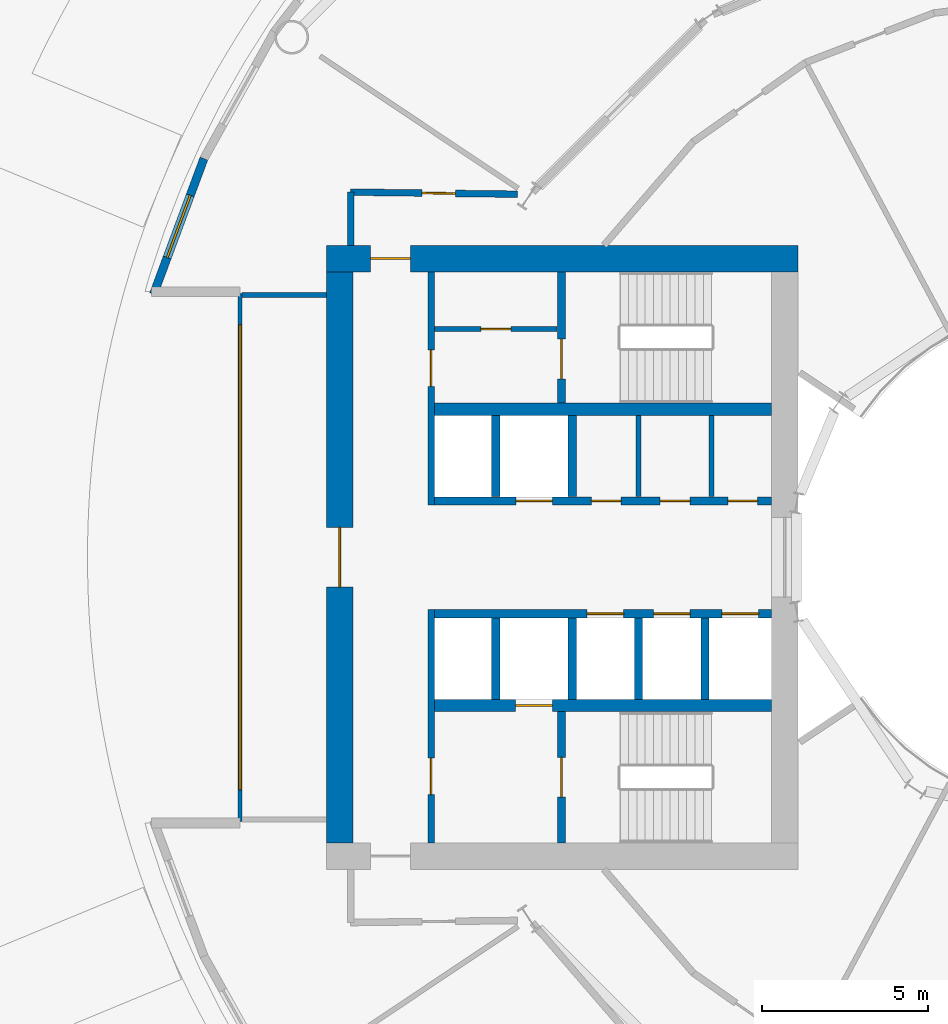
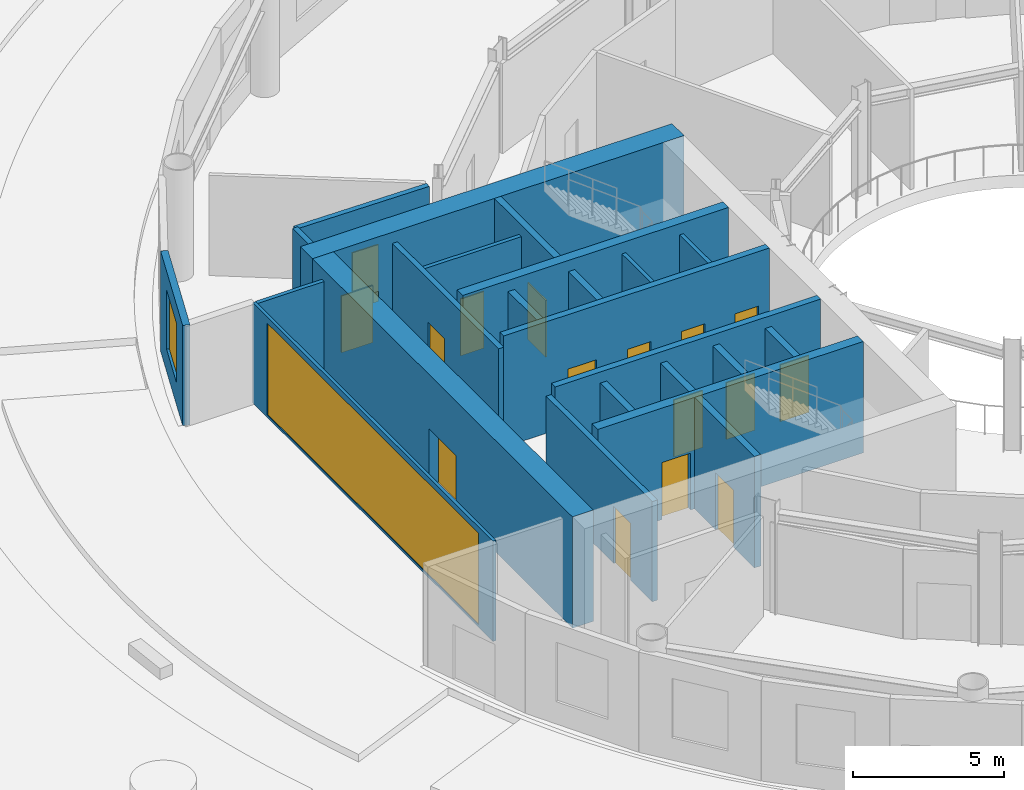
# One storey, part 12 of 19: 24 walls, 16 doors, 2 windows, 18 openings.
"""IFC4 building model written with IfcOpenShell, lengths in metres."""

from ifc_helpers import new_model, si_unit, direction, frame, frame_2d, origin, place, context, subcontext, project, spatial, rectangle, extrude, material, layer, layer_set, type_object, element, fill, save


model = new_model("IFC4")

# Units and contexts
model_context = context("Model", 3, precision=1e-05, world=origin(), true_north=direction((0.0, 1.0)))
body_context = subcontext(model_context, "Body", "Model", "MODEL_VIEW")
ifc_project = project(units=[si_unit("LENGTHUNIT", "METRE"), si_unit("AREAUNIT", "SQUARE_METRE"), si_unit("VOLUMEUNIT", "CUBIC_METRE"), si_unit("PLANEANGLEUNIT", "RADIAN"), si_unit("MASSUNIT", "GRAM", prefix="KILO")], contexts=[model_context])

# Site, building, storey
site_placement = place(None, origin())
site = spatial("IfcSite", under=ifc_project, at=site_placement, CompositionType="ELEMENT")
building_placement = place(site_placement, origin())
building = spatial("IfcBuilding", under=site, at=building_placement, Name="Maasbend Ring Residences", CompositionType="ELEMENT")
storey_placement = place(building_placement, frame((0.0, 0.0, 9.60009765625)))
storey = spatial("IfcBuildingStorey", under=building, at=storey_placement, Name="L02", CompositionType="ELEMENT", Elevation=9.60009765625)

# Wall, openings, doors
ifc_material_1 = material(Name="Concrete C70/85", Category="concrete")
ifc_layer_1 = layer(ifc_material_1, 0.25)
ifc_layer_set_1 = layer_set([ifc_layer_1], Name="Concrete C70/85")
wall_type_1 = type_object("IfcWallType", Name="CORE WALL 250 C70/85", PredefinedType="SHEAR", material=ifc_layer_set_1)
wall_1_placement = place(storey_placement, frame((-9.0, -1.699951171875, 0.0), z_axis=(0.0, 0.0, 1.0), x_axis=(-1.0, 0.0, 0.0)))
wall_1 = element("IfcWall", 1, at=wall_1_placement, inside=storey, type_object=wall_type_1, Name="L02 core W wall SPN", PredefinedType="SHEAR", context=body_context, shape_type="SweptSolid", body=[
    extrude(rectangle(XDim=10.14990234375, YDim=0.25, at=frame_2d((5.074951171875, 0.0))), origin(), (0.0, 0.0, 1.0), 4.5),
])
opening_1_placement = place(wall_1_placement, frame((0.387451171875, 0.0, 0.0)))
opening_1 = element("IfcOpeningElement", 2, at=opening_1_placement, cuts=wall_1, Name="Opening LD-W0201", PredefinedType="OPENING", context=body_context, shape_type="SweptSolid", body=[
    extrude(rectangle(XDim=1.10009765625, YDim=2.300048828125, at=frame_2d((0.550048828125, 1.14990234375))), frame((0.0, 0.135009765625, 0.0), z_axis=(0.0, -1.0, 0.0), x_axis=(1.0, 0.0, 0.0)), (0.0, 0.0, 1.0), 0.27001953125),
])
opening_2_placement = place(wall_1_placement, frame((2.449951171875, 0.0, 0.0)))
opening_2 = element("IfcOpeningElement", 3, at=opening_2_placement, cuts=wall_1, Name="Opening LD-W0202", PredefinedType="OPENING", context=body_context, shape_type="SweptSolid", body=[
    extrude(rectangle(XDim=1.10009765625, YDim=2.300048828125, at=frame_2d((0.550048828125, 1.14990234375))), frame((0.0, 0.135009765625, 0.0), z_axis=(0.0, -1.0, 0.0), x_axis=(1.0, 0.0, 0.0)), (0.0, 0.0, 1.0), 0.27001953125),
])
opening_3_placement = place(wall_1_placement, frame((4.449951171875, 0.0, 0.0)))
opening_3 = element("IfcOpeningElement", 4, at=opening_3_placement, cuts=wall_1, Name="Opening LD-W0203", PredefinedType="OPENING", context=body_context, shape_type="SweptSolid", body=[
    extrude(rectangle(XDim=1.10009765625, YDim=2.300048828125, at=frame_2d((0.550048828125, 1.14990234375))), frame((0.0, 0.135009765625, 0.0), z_axis=(0.0, -1.0, 0.0), x_axis=(1.0, 0.0, 0.0)), (0.0, 0.0, 1.0), 0.27001953125),
])
ifc_material_2 = material(Name="Stainless steel 316", Category="steel")
door_type_1 = type_object("IfcDoorType", Name="LANDING DOOR 1100 X 2300 FD60", OperationType="DOUBLE_DOOR_SLIDING", PredefinedType="DOOR", material=ifc_material_2)
door_1_placement = place(opening_1_placement, origin())
door_1 = element("IfcDoor", 5, at=door_1_placement, inside=storey, type_object=door_type_1, Name="Landing door LR-W1 L02", OperationType="DOUBLE_DOOR_SLIDING", OverallHeight=2.300048828125, OverallWidth=1.10009765625, PredefinedType="DOOR", context=body_context, shape_type="SweptSolid", body=[
    extrude(rectangle(XDim=1.10009765625, YDim=2.300048828125, at=frame_2d((0.550048828125, 1.14990234375))), frame((0.0, 0.02490234375, 0.0), z_axis=(0.0, -1.0, 0.0), x_axis=(1.0, 0.0, 0.0)), (0.0, 0.0, 1.0), 0.050048828125),
])
fill(opening_1, door_1)
door_2_placement = place(opening_2_placement, origin())
door_2 = element("IfcDoor", 6, at=door_2_placement, inside=storey, type_object=door_type_1, Name="Landing door LR-W2 L02", OperationType="DOUBLE_DOOR_SLIDING", OverallHeight=2.300048828125, OverallWidth=1.10009765625, PredefinedType="DOOR", context=body_context, shape_type="SweptSolid", body=[
    extrude(rectangle(XDim=1.10009765625, YDim=2.300048828125, at=frame_2d((0.550048828125, 1.14990234375))), frame((0.0, 0.02490234375, 0.0), z_axis=(0.0, -1.0, 0.0), x_axis=(1.0, 0.0, 0.0)), (0.0, 0.0, 1.0), 0.050048828125),
])
fill(opening_2, door_2)
door_3_placement = place(opening_3_placement, origin())
door_3 = element("IfcDoor", 7, at=door_3_placement, inside=storey, type_object=door_type_1, Name="Landing door LR-W3 L02", OperationType="DOUBLE_DOOR_SLIDING", OverallHeight=2.300048828125, OverallWidth=1.10009765625, PredefinedType="DOOR", context=body_context, shape_type="SweptSolid", body=[
    extrude(rectangle(XDim=1.10009765625, YDim=2.300048828125, at=frame_2d((0.550048828125, 1.14990234375))), frame((0.0, 0.02490234375, 0.0), z_axis=(0.0, -1.0, 0.0), x_axis=(1.0, 0.0, 0.0)), (0.0, 0.0, 1.0), 0.050048828125),
])
fill(opening_3, door_3)

# Wall, opening, door
wall_2_placement = place(storey_placement, frame((-15.324951171875, -4.64990234375, 0.0), z_axis=(0.0, 0.0, 1.0), x_axis=(0.0, -1.0, 0.0)))
wall_2 = element("IfcWall", 8, at=wall_2_placement, inside=storey, type_object=wall_type_1, Name="L02 core W wall STEN", PredefinedType="SHEAR", context=body_context, shape_type="SweptSolid", body=[
    extrude(rectangle(XDim=3.9501953125, YDim=0.25, at=frame_2d((1.97509765625, 0.0))), origin(), (0.0, 0.0, 1.0), 4.5),
])
opening_4_placement = place(wall_2_placement, frame((1.375, 0.0, 0.0)))
opening_4 = element("IfcOpeningElement", 9, at=opening_4_placement, cuts=wall_2, Name="Opening D-W0210", PredefinedType="OPENING", context=body_context, shape_type="SweptSolid", body=[
    extrude(rectangle(XDim=1.199951171875, YDim=2.300048828125, at=frame_2d((0.60009765625, 1.14990234375))), frame((0.0, 0.135009765625, 0.0), z_axis=(0.0, -1.0, 0.0), x_axis=(1.0, 0.0, 0.0)), (0.0, 0.0, 1.0), 0.27001953125),
])
ifc_material_3 = material(Name="Steel, powder coated", Category="steel")
door_type_2 = type_object("IfcDoorType", Name="STAIR DOOR 1200 X 2300 FD60", OperationType="NOTDEFINED", PredefinedType="DOOR", material=ifc_material_3)
door_4_placement = place(opening_4_placement, origin())
door_4 = element("IfcDoor", 10, at=door_4_placement, inside=storey, type_object=door_type_2, Name="Stair door ST-W L02", OperationType="SINGLE_SWING_LEFT", OverallHeight=2.300048828125, OverallWidth=1.199951171875, PredefinedType="DOOR", context=body_context, shape_type="SweptSolid", body=[
    extrude(rectangle(XDim=1.199951171875, YDim=2.300048828125, at=frame_2d((0.60009765625, 1.14990234375))), frame((0.0, 0.02490234375, 0.0), z_axis=(0.0, -1.0, 0.0), x_axis=(1.0, 0.0, 0.0)), (0.0, 0.0, 1.0), 0.050048828125),
])
fill(opening_4, door_4)

# Wall, openings, doors
wall_3_placement = place(storey_placement, frame((-19.14990234375, 1.699951171875, 0.0), z_axis=(0.0, 0.0, 1.0), x_axis=(1.0, 0.0, 0.0)))
wall_3 = element("IfcWall", 11, at=wall_3_placement, inside=storey, type_object=wall_type_1, Name="L02 core W wall SPS", PredefinedType="SHEAR", context=body_context, shape_type="SweptSolid", body=[
    extrude(rectangle(XDim=10.14990234375, YDim=0.25, at=frame_2d((5.074951171875, 0.0))), origin(), (0.0, 0.0, 1.0), 4.5),
])
opening_5_placement = place(wall_3_placement, frame((2.449951171875, 0.0, 0.0)))
opening_5 = element("IfcOpeningElement", 12, at=opening_5_placement, cuts=wall_3, Name="Opening LD-W0205", PredefinedType="OPENING", context=body_context, shape_type="SweptSolid", body=[
    extrude(rectangle(XDim=1.10009765625, YDim=2.300048828125, at=frame_2d((0.550048828125, 1.14990234375))), frame((0.0, 0.135009765625, 0.0), z_axis=(0.0, -1.0, 0.0), x_axis=(1.0, 0.0, 0.0)), (0.0, 0.0, 1.0), 0.27001953125),
])
opening_6_placement = place(wall_3_placement, frame((8.83740234375, 0.0, 0.0)))
opening_6 = element("IfcOpeningElement", 13, at=opening_6_placement, cuts=wall_3, Name="Opening D-W0206", PredefinedType="OPENING", context=body_context, shape_type="SweptSolid", body=[
    extrude(rectangle(XDim=0.89990234375, YDim=2.300048828125, at=frame_2d((0.449951171875, 1.14990234375))), frame((0.0, 0.135009765625, 0.0), z_axis=(0.0, -1.0, 0.0), x_axis=(1.0, 0.0, 0.0)), (0.0, 0.0, 1.0), 0.27001953125),
])
opening_7_placement = place(wall_3_placement, frame((6.800048828125, 0.0, 0.0)))
opening_7 = element("IfcOpeningElement", 14, at=opening_7_placement, cuts=wall_3, Name="Opening D-W0207", PredefinedType="OPENING", context=body_context, shape_type="SweptSolid", body=[
    extrude(rectangle(XDim=0.89990234375, YDim=2.300048828125, at=frame_2d((0.449951171875, 1.14990234375))), frame((0.0, 0.135009765625, 0.0), z_axis=(0.0, -1.0, 0.0), x_axis=(1.0, 0.0, 0.0)), (0.0, 0.0, 1.0), 0.27001953125),
])
opening_8_placement = place(wall_3_placement, frame((4.72509765625, 0.0, 0.0)))
opening_8 = element("IfcOpeningElement", 15, at=opening_8_placement, cuts=wall_3, Name="Opening D-W0208", PredefinedType="OPENING", context=body_context, shape_type="SweptSolid", body=[
    extrude(rectangle(XDim=0.89990234375, YDim=2.300048828125, at=frame_2d((0.449951171875, 1.14990234375))), frame((0.0, 0.135009765625, 0.0), z_axis=(0.0, -1.0, 0.0), x_axis=(1.0, 0.0, 0.0)), (0.0, 0.0, 1.0), 0.27001953125),
])
door_5_placement = place(opening_5_placement, origin())
door_5 = element("IfcDoor", 16, at=door_5_placement, inside=storey, type_object=door_type_1, Name="Landing door SV-W L02", OperationType="DOUBLE_DOOR_SLIDING", OverallHeight=2.300048828125, OverallWidth=1.10009765625, PredefinedType="DOOR", context=body_context, shape_type="SweptSolid", body=[
    extrude(rectangle(XDim=1.10009765625, YDim=2.300048828125, at=frame_2d((0.550048828125, 1.14990234375))), frame((0.0, 0.02490234375, 0.0), z_axis=(0.0, -1.0, 0.0), x_axis=(1.0, 0.0, 0.0)), (0.0, 0.0, 1.0), 0.050048828125),
])
fill(opening_5, door_5)
ifc_material_4 = material(Name="Steel, powder coated", Category="steel")
door_type_3 = type_object("IfcDoorType", Name="ROOM DOOR 900 X 2300 FD30S", OperationType="NOTDEFINED", PredefinedType="DOOR", material=ifc_material_4)
door_6_placement = place(opening_6_placement, origin())
door_6 = element("IfcDoor", 17, at=door_6_placement, inside=storey, type_object=door_type_3, Name="Room door L02", OperationType="SINGLE_SWING_LEFT", OverallHeight=2.300048828125, OverallWidth=0.89990234375, PredefinedType="DOOR", context=body_context, shape_type="SweptSolid", body=[
    extrude(rectangle(XDim=0.89990234375, YDim=2.300048828125, at=frame_2d((0.449951171875, 1.14990234375))), frame((0.0, 0.02490234375, 0.0), z_axis=(0.0, -1.0, 0.0), x_axis=(1.0, 0.0, 0.0)), (0.0, 0.0, 1.0), 0.050048828125),
])
fill(opening_6, door_6)
door_7_placement = place(opening_7_placement, origin())
door_7 = element("IfcDoor", 18, at=door_7_placement, inside=storey, type_object=door_type_3, Name="Room door L02", OperationType="SINGLE_SWING_LEFT", OverallHeight=2.300048828125, OverallWidth=0.89990234375, PredefinedType="DOOR", context=body_context, shape_type="SweptSolid", body=[
    extrude(rectangle(XDim=0.89990234375, YDim=2.300048828125, at=frame_2d((0.449951171875, 1.14990234375))), frame((0.0, 0.02490234375, 0.0), z_axis=(0.0, -1.0, 0.0), x_axis=(1.0, 0.0, 0.0)), (0.0, 0.0, 1.0), 0.050048828125),
])
fill(opening_7, door_7)
door_8_placement = place(opening_8_placement, origin())
door_8 = element("IfcDoor", 19, at=door_8_placement, inside=storey, type_object=door_type_3, Name="Room door L02", OperationType="SINGLE_SWING_LEFT", OverallHeight=2.300048828125, OverallWidth=0.89990234375, PredefinedType="DOOR", context=body_context, shape_type="SweptSolid", body=[
    extrude(rectangle(XDim=0.89990234375, YDim=2.300048828125, at=frame_2d((0.449951171875, 1.14990234375))), frame((0.0, 0.02490234375, 0.0), z_axis=(0.0, -1.0, 0.0), x_axis=(1.0, 0.0, 0.0)), (0.0, 0.0, 1.0), 0.050048828125),
])
fill(opening_8, door_8)

# Wall, opening, door
wall_4_placement = place(storey_placement, frame((-15.324951171875, 8.60009765625, 0.0), z_axis=(0.0, 0.0, 1.0), x_axis=(0.0, -1.0, 0.0)))
wall_4 = element("IfcWall", 20, at=wall_4_placement, inside=storey, type_object=wall_type_1, Name="L02 core W wall STES", PredefinedType="SHEAR", context=body_context, shape_type="SweptSolid", body=[
    extrude(rectangle(XDim=3.9501953125, YDim=0.25, at=frame_2d((1.97509765625, 0.0))), origin(), (0.0, 0.0, 1.0), 4.5),
])
opening_9_placement = place(wall_4_placement, frame((2.02490234375, 0.0, 0.0)))
opening_9 = element("IfcOpeningElement", 21, at=opening_9_placement, cuts=wall_4, Name="Opening D-W0211", PredefinedType="OPENING", context=body_context, shape_type="SweptSolid", body=[
    extrude(rectangle(XDim=1.199951171875, YDim=2.300048828125, at=frame_2d((0.60009765625, 1.14990234375))), frame((0.0, 0.135009765625, 0.0), z_axis=(0.0, -1.0, 0.0), x_axis=(1.0, 0.0, 0.0)), (0.0, 0.0, 1.0), 0.27001953125),
])
door_9_placement = place(opening_9_placement, origin())
door_9 = element("IfcDoor", 22, at=door_9_placement, inside=storey, type_object=door_type_2, Name="Stair door ST-W L02", OperationType="SINGLE_SWING_LEFT", OverallHeight=2.300048828125, OverallWidth=1.199951171875, PredefinedType="DOOR", context=body_context, shape_type="SweptSolid", body=[
    extrude(rectangle(XDim=1.199951171875, YDim=2.300048828125, at=frame_2d((0.60009765625, 1.14990234375))), frame((0.0, 0.02490234375, 0.0), z_axis=(0.0, -1.0, 0.0), x_axis=(1.0, 0.0, 0.0)), (0.0, 0.0, 1.0), 0.050048828125),
])
fill(opening_9, door_9)

ifc_material_5 = material(Name="Concrete C70/85", Category="concrete")
ifc_layer_2 = layer(ifc_material_5, 0.375)
ifc_layer_set_2 = layer_set([ifc_layer_2], Name="Concrete C70/85")
wall_type_2 = type_object("IfcWallType", Name="CORE WALL 375 C70/85", PredefinedType="SHEAR", material=ifc_layer_set_2)
wall_5_placement = place(storey_placement, frame((-9.0, -4.46240234375, 0.0), z_axis=(0.0, 0.0, 1.0), x_axis=(-1.0, 0.0, 0.0)))
wall_5 = element("IfcWall", 23, at=wall_5_placement, inside=storey, type_object=wall_type_2, Name="L02 core W wall BN", PredefinedType="SHEAR", context=body_context, shape_type="SweptSolid", body=[
    extrude(rectangle(XDim=10.14990234375, YDim=0.375, at=frame_2d((5.074951171875, 0.0))), origin(), (0.0, 0.0, 1.0), 4.5),
])
opening_10_placement = place(wall_5_placement, frame((6.60009765625, 0.0, 0.0)))
opening_10 = element("IfcOpeningElement", 24, at=opening_10_placement, cuts=wall_5, Name="Opening LD-W0204", PredefinedType="OPENING", context=body_context, shape_type="SweptSolid", body=[
    extrude(rectangle(XDim=1.10009765625, YDim=2.300048828125, at=frame_2d((0.550048828125, 1.14990234375))), frame((0.0, 0.197509765625, 0.0), z_axis=(0.0, -1.0, 0.0), x_axis=(1.0, 0.0, 0.0)), (0.0, 0.0, 1.0), 0.39501953125),
])
door_10_placement = place(opening_10_placement, origin())
door_10 = element("IfcDoor", 25, at=door_10_placement, inside=storey, type_object=door_type_1, Name="Landing door FF-W L02", OperationType="DOUBLE_DOOR_SLIDING", OverallHeight=2.300048828125, OverallWidth=1.10009765625, PredefinedType="DOOR", context=body_context, shape_type="SweptSolid", body=[
    extrude(rectangle(XDim=1.10009765625, YDim=2.300048828125, at=frame_2d((0.550048828125, 1.14990234375))), frame((0.0, 0.02490234375, 0.0), z_axis=(0.0, -1.0, 0.0), x_axis=(1.0, 0.0, 0.0)), (0.0, 0.0, 1.0), 0.050048828125),
])
fill(opening_10, door_10)

# Wall
wall_6_placement = place(storey_placement, frame((-9.0, 4.46240234375, 0.0), z_axis=(0.0, 0.0, 1.0), x_axis=(-1.0, 0.0, 0.0)))
element("IfcWall", 26, at=wall_6_placement, inside=storey, type_object=wall_type_2, Name="L02 core W wall BS", PredefinedType="SHEAR", context=body_context, shape_type="SweptSolid", body=[
    extrude(rectangle(XDim=10.14990234375, YDim=0.375, at=frame_2d((5.074951171875, 0.0))), origin(), (0.0, 0.0, 1.0), 4.5),
])

# Wall, opening, door
ifc_material_6 = material(Name="Concrete C70/85", Category="concrete")
ifc_layer_3 = layer(ifc_material_6, 0.800048828125)
ifc_layer_set_3 = layer_set([ifc_layer_3], Name="Concrete C70/85")
wall_type_3 = type_object("IfcWallType", Name="CORE WALL 800 C70/85", PredefinedType="SHEAR", material=ifc_layer_set_3)
wall_7_placement = place(storey_placement, frame((-8.199951171875, 9.0, 0.0), z_axis=(0.0, 0.0, 1.0), x_axis=(-1.0, 0.0, 0.0)))
wall_7 = element("IfcWall", 27, at=wall_7_placement, inside=storey, type_object=wall_type_3, Name="L02 core W wall PS", PredefinedType="SHEAR", context=body_context, shape_type="SweptSolid", body=[
    extrude(rectangle(XDim=14.199951171875, YDim=0.800048828125, at=frame_2d((7.10009765625, 0.0))), origin(), (0.0, 0.0, 1.0), 4.5),
])
opening_11_placement = place(wall_7_placement, frame((11.675048828125, 0.0, 0.0)))
opening_11 = element("IfcOpeningElement", 28, at=opening_11_placement, cuts=wall_7, Name="Opening D-W0215", PredefinedType="OPENING", context=body_context, shape_type="SweptSolid", body=[
    extrude(rectangle(XDim=1.199951171875, YDim=2.300048828125, at=frame_2d((0.60009765625, 1.14990234375))), frame((0.0, 0.41015625, 0.0), z_axis=(0.0, -1.0, 0.0), x_axis=(1.0, 0.0, 0.0)), (0.0, 0.0, 1.0), 0.820068359375),
])
ifc_material_7 = material(Name="Steel, powder coated", Category="steel")
door_type_4 = type_object("IfcDoorType", Name="CORRIDOR DOOR 1200 X 2300 FD30S", OperationType="NOTDEFINED", PredefinedType="DOOR", material=ifc_material_7)
door_11_placement = place(opening_11_placement, origin())
door_11 = element("IfcDoor", 29, at=door_11_placement, inside=storey, type_object=door_type_4, Name="Corridor door L02", OperationType="SINGLE_SWING_LEFT", OverallHeight=2.300048828125, OverallWidth=1.199951171875, PredefinedType="DOOR", context=body_context, shape_type="SweptSolid", body=[
    extrude(rectangle(XDim=1.199951171875, YDim=2.300048828125, at=frame_2d((0.60009765625, 1.14990234375))), frame((0.0, 0.02490234375, 0.0), z_axis=(0.0, -1.0, 0.0), x_axis=(1.0, 0.0, 0.0)), (0.0, 0.0, 1.0), 0.050048828125),
])
fill(opening_11, door_11)

wall_8_placement = place(storey_placement, frame((-22.0, -8.60009765625, 0.0), z_axis=(0.0, 0.0, 1.0), x_axis=(0.0, 1.0, 0.0)))
wall_8 = element("IfcWall", 30, at=wall_8_placement, inside=storey, type_object=wall_type_3, Name="L02 core W wall POUT", PredefinedType="SHEAR", context=body_context, shape_type="SweptSolid", body=[
    extrude(rectangle(XDim=17.2001953125, YDim=0.800048828125, at=frame_2d((8.60009765625, 0.0))), origin(), (0.0, 0.0, 1.0), 4.5),
])
opening_12_placement = place(wall_8_placement, frame((7.699951171875, 0.0, 0.0)))
opening_12 = element("IfcOpeningElement", 31, at=opening_12_placement, cuts=wall_8, Name="Opening D-W0216", PredefinedType="OPENING", context=body_context, shape_type="SweptSolid", body=[
    extrude(rectangle(XDim=1.800048828125, YDim=2.300048828125, at=frame_2d((0.89990234375, 1.14990234375))), frame((0.0, 0.41015625, 0.0), z_axis=(0.0, -1.0, 0.0), x_axis=(1.0, 0.0, 0.0)), (0.0, 0.0, 1.0), 0.820068359375),
])
ifc_material_8 = material(Name="Aluminium frame, clear glass", Category="aluminium")
door_type_5 = type_object("IfcDoorType", Name="ENTRANCE DOOR 1800 X 2300 FD60", OperationType="NOTDEFINED", PredefinedType="DOOR", material=ifc_material_8)
door_12_placement = place(opening_12_placement, origin())
door_12 = element("IfcDoor", 32, at=door_12_placement, inside=storey, type_object=door_type_5, Name="Lobby glazed door L02", OperationType="SINGLE_SWING_LEFT", OverallHeight=2.300048828125, OverallWidth=1.800048828125, PredefinedType="DOOR", context=body_context, shape_type="SweptSolid", body=[
    extrude(rectangle(XDim=1.800048828125, YDim=2.300048828125, at=frame_2d((0.89990234375, 1.14990234375))), frame((0.0, 0.02490234375, 0.0), z_axis=(0.0, -1.0, 0.0), x_axis=(1.0, 0.0, 0.0)), (0.0, 0.0, 1.0), 0.050048828125),
])
fill(opening_12, door_12)

ifc_material_9 = material(Name="Concrete C30/37", Category="concrete")
ifc_layer_4 = layer(ifc_material_9, 0.199951171875)
ifc_layer_set_4 = layer_set([ifc_layer_4], Name="Concrete C30/37")
wall_type_4 = type_object("IfcWallType", Name="CORRIDOR WALL 200 CONCRETE", PredefinedType="PARTITIONING", material=ifc_layer_set_4)
wall_9_placement = place(storey_placement, frame((-21.675048828125, 11.0, 0.0), z_axis=(0.0, 0.0, 1.0), x_axis=(0.999924074118, -0.012322580895, 0.0)))
wall_9 = element("IfcWall", 33, at=wall_9_placement, inside=storey, type_object=wall_type_4, Name="U-L02-w054", PredefinedType="PARTITIONING", context=body_context, shape_type="SweptSolid", body=[
    extrude(rectangle(XDim=5.032470703125, YDim=0.199951171875, at=frame_2d((2.51611328125, 0.0))), origin(), (0.0, 0.0, 1.0), 4.0498046875),
])
opening_13_placement = place(wall_9_placement, frame((2.155029296875, 0.0, 0.0)))
opening_13 = element("IfcOpeningElement", 34, at=opening_13_placement, cuts=wall_9, Name="Opening D-0225", PredefinedType="OPENING", context=body_context, shape_type="SweptSolid", body=[
    extrude(rectangle(XDim=1.0, YDim=2.300048828125, at=frame_2d((0.5, 1.14990234375))), frame((0.0, 0.10986328125, 0.0), z_axis=(0.0, -1.0, 0.0), x_axis=(1.0, 0.0, 0.0)), (0.0, 0.0, 1.0), 0.219970703125),
])
ifc_material_10 = material(Name="Timber, painted", Category="wood")
door_type_6 = type_object("IfcDoorType", Name="ROOM DOOR 1000 X 2300", OperationType="NOTDEFINED", PredefinedType="DOOR", material=ifc_material_10)
door_13_placement = place(opening_13_placement, origin())
door_13 = element("IfcDoor", 35, at=door_13_placement, inside=storey, type_object=door_type_6, Name="D-0225", OperationType="SINGLE_SWING_RIGHT", OverallHeight=2.300048828125, OverallWidth=1.0, PredefinedType="DOOR", context=body_context, shape_type="SweptSolid", body=[
    extrude(rectangle(XDim=1.0, YDim=2.300048828125, at=frame_2d((0.5, 1.14990234375))), frame((0.0, 0.02490234375, 0.0), z_axis=(0.0, -1.0, 0.0), x_axis=(1.0, 0.0, 0.0)), (0.0, 0.0, 1.0), 0.050048828125),
])
fill(opening_13, door_13)

# Wall
wall_10_placement = place(storey_placement, frame((-21.675048828125, 9.39990234375, 0.0), z_axis=(0.0, 0.0, 1.0), x_axis=(0.0, 1.0, 0.0)))
element("IfcWall", 36, at=wall_10_placement, inside=storey, type_object=wall_type_4, Name="U-L02-w072", PredefinedType="PARTITIONING", context=body_context, shape_type="SweptSolid", body=[
    extrude(rectangle(XDim=1.60009765625, YDim=0.199951171875, at=frame_2d((0.800048828125, 0.0))), origin(), (0.0, 0.0, 1.0), 4.0498046875),
])

# Wall, opening, window
ifc_material_11 = material(Name="Aluminium clad insulated panel", Category="aluminium")
ifc_layer_5 = layer(ifc_material_11, 0.25)
ifc_layer_set_5 = layer_set([ifc_layer_5], Name="EW-GL")
wall_type_5 = type_object("IfcWallType", Name="EW-GL", PredefinedType="SOLIDWALL", material=ifc_layer_set_5)
wall_11_placement = place(storey_placement, frame((-26.093017578125, 12.010986328125, 0.0), z_axis=(0.0, 0.0, 1.0), x_axis=(-0.348003729264, -0.937493148998, 0.0)))
wall_11 = element("IfcWall", 37, at=wall_11_placement, inside=storey, type_object=wall_type_5, Name="Community floor wall 17", PredefinedType="SOLIDWALL", context=body_context, shape_type="SweptSolid", body=[
    extrude(rectangle(XDim=4.359375, YDim=0.25, at=frame_2d((2.1796875, 0.0))), origin(), (0.0, 0.0, 1.0), 4.0498046875),
])
opening_14_placement = place(wall_11_placement, frame((1.179931640625, 0.0, 0.89990234375)))
opening_14 = element("IfcOpeningElement", 38, at=opening_14_placement, cuts=wall_11, Name="Opening W-BD", PredefinedType="OPENING", context=body_context, shape_type="SweptSolid", body=[
    extrude(rectangle(XDim=2.0, YDim=2.39990234375, at=frame_2d((1.0, 1.199951171875))), frame((0.0, 0.135009765625, 0.0), z_axis=(0.0, -1.0, 0.0), x_axis=(1.0, 0.0, 0.0)), (0.0, 0.0, 1.0), 0.27001953125),
])
ifc_material_12 = material(Name="Aluminium and clear glass", Category="aluminium")
window_type_1 = type_object("IfcWindowType", Name="W-BD", PartitioningType="DOUBLE_PANEL_VERTICAL", PredefinedType="WINDOW", material=ifc_material_12)
window_1_placement = place(opening_14_placement, origin())
window_1 = element("IfcWindow", 39, at=window_1_placement, inside=storey, type_object=window_type_1, Name="Community floor window 17", OverallHeight=2.39990234375, OverallWidth=2.0, PartitioningType="SINGLE_PANEL", PredefinedType="WINDOW", context=body_context, shape_type="SweptSolid", body=[
    extrude(rectangle(XDim=2.0, YDim=2.39990234375, at=frame_2d((1.0, 1.199951171875))), frame((0.0, 0.030029296875, 0.0), z_axis=(0.0, -1.0, 0.0), x_axis=(1.0, 0.0, 0.0)), (0.0, 0.0, 1.0), 0.06005859375),
])
fill(opening_14, window_1)

ifc_material_13 = material(Name="Aluminium frame and clear glass", Category="aluminium")
ifc_layer_6 = layer(ifc_material_13, 0.1201171875)
ifc_layer_set_6 = layer_set([ifc_layer_6], Name="GLAZED SCREEN WALL 120 EI 60")
wall_type_6 = type_object("IfcWallType", Name="GLAZED SCREEN WALL 120 EI 60", PredefinedType="PARTITIONING", material=ifc_layer_set_6)
wall_12_placement = place(storey_placement, frame((-25.0, 7.949951171875, 0.0), z_axis=(0.0, 0.0, 1.0), x_axis=(0.0, -1.0, 0.0)))
wall_12 = element("IfcWall", 40, at=wall_12_placement, inside=storey, type_object=wall_type_6, Name="L02 core W wall FACE", PredefinedType="PARTITIONING", context=body_context, shape_type="SweptSolid", body=[
    extrude(rectangle(XDim=15.89990234375, YDim=0.1201171875, at=frame_2d((7.949951171875, 0.0))), origin(), (0.0, 0.0, 1.0), 4.0498046875),
])
opening_15_placement = place(wall_12_placement, frame((0.949951171875, 0.0, 0.10009765625)))
opening_15 = element("IfcOpeningElement", 41, at=opening_15_placement, cuts=wall_12, Name="Opening W-W0202", PredefinedType="OPENING", context=body_context, shape_type="SweptSolid", body=[
    extrude(rectangle(XDim=14.0, YDim=3.699951171875, at=frame_2d((7.0, 1.85009765625))), frame((0.0, 0.070068359375, 0.0), z_axis=(0.0, -1.0, 0.0), x_axis=(1.0, 0.0, 0.0)), (0.0, 0.0, 1.0), 0.14013671875),
])
ifc_material_14 = material(Name="Aluminium frame and clear glass", Category="aluminium")
window_type_2 = type_object("IfcWindowType", Name="FIXED WINDOW 14000 X 3700", PartitioningType="SINGLE_PANEL", PredefinedType="WINDOW", material=ifc_material_14)
window_2_placement = place(opening_15_placement, origin())
window_2 = element("IfcWindow", 42, at=window_2_placement, inside=storey, type_object=window_type_2, Name="Lobby window L02", OverallHeight=3.699951171875, OverallWidth=14.0, PartitioningType="SINGLE_PANEL", PredefinedType="WINDOW", context=body_context, shape_type="SweptSolid", body=[
    extrude(rectangle(XDim=14.0, YDim=3.699951171875, at=frame_2d((7.0, 1.85009765625))), frame((0.0, 0.030029296875, 0.0), z_axis=(0.0, -1.0, 0.0), x_axis=(1.0, 0.0, 0.0)), (0.0, 0.0, 1.0), 0.06005859375),
])
fill(opening_15, window_2)

# Walls
ifc_material_15 = material(Name="Gypsum board on steel studs", Category="steel")
ifc_layer_7 = layer(ifc_material_15, 0.14990234375)
ifc_layer_set_7 = layer_set([ifc_layer_7], Name="PARTITION 150 EI 60")
wall_type_7 = type_object("IfcWallType", Name="PARTITION 150 EI 60", PredefinedType="PARTITIONING", material=ifc_layer_set_7)
for number, where, z_axis, x_axis, name in (
    (43, (-10.800048828125, 1.824951171875, 0.0), (0.0, 0.0, 1.0), (0.0, 1.0, 0.0), "L02 core W wall PRS1080"),
    (44, (-13.0, 1.824951171875, 0.0), (0.0, 0.0, 1.0), (0.0, 1.0, 0.0), "L02 core W wall PRS1300"),
):
    element("IfcWall", number, at=place(storey_placement, frame(where, z_axis=z_axis, x_axis=x_axis)), inside=storey, type_object=wall_type_7, Name=name, PredefinedType="PARTITIONING", context=body_context, shape_type="SweptSolid", body=[
        extrude(rectangle(XDim=2.449951171875, YDim=0.14990234375, at=frame_2d((1.22509765625, 0.0))), origin(), (0.0, 0.0, 1.0), 4.0498046875),
    ])

# Wall, opening, door
wall_13_placement = place(storey_placement, frame((-15.449951171875, 6.875, 0.0), z_axis=(0.0, 0.0, 1.0), x_axis=(-1.0, 0.0, 0.0)))
wall_13 = element("IfcWall", 45, at=wall_13_placement, inside=storey, type_object=wall_type_7, Name="L02 core W wall RHS", PredefinedType="PARTITIONING", context=body_context, shape_type="SweptSolid", body=[
    extrude(rectangle(XDim=3.699951171875, YDim=0.14990234375, at=frame_2d((1.85009765625, 0.0))), origin(), (0.0, 0.0, 1.0), 4.0498046875),
])
opening_16_placement = place(wall_13_placement, frame((1.39990234375, 0.0, 0.0)))
opening_16 = element("IfcOpeningElement", 46, at=opening_16_placement, cuts=wall_13, Name="Opening D-W0209", PredefinedType="OPENING", context=body_context, shape_type="SweptSolid", body=[
    extrude(rectangle(XDim=0.89990234375, YDim=2.300048828125, at=frame_2d((0.449951171875, 1.14990234375))), frame((0.0, 0.0849609375, 0.0), z_axis=(0.0, -1.0, 0.0), x_axis=(1.0, 0.0, 0.0)), (0.0, 0.0, 1.0), 0.169921875),
])
ifc_material_16 = material(Name="Steel, powder coated", Category="steel")
door_type_7 = type_object("IfcDoorType", Name="RISER DOOR 900 X 2300 FD60", OperationType="NOTDEFINED", PredefinedType="DOOR", material=ifc_material_16)
door_14_placement = place(opening_16_placement, origin())
door_14 = element("IfcDoor", 47, at=door_14_placement, inside=storey, type_object=door_type_7, Name="Riser door L02", OperationType="SINGLE_SWING_LEFT", OverallHeight=2.300048828125, OverallWidth=0.89990234375, PredefinedType="DOOR", context=body_context, shape_type="SweptSolid", body=[
    extrude(rectangle(XDim=0.89990234375, YDim=2.300048828125, at=frame_2d((0.449951171875, 1.14990234375))), frame((0.0, 0.02490234375, 0.0), z_axis=(0.0, -1.0, 0.0), x_axis=(1.0, 0.0, 0.0)), (0.0, 0.0, 1.0), 0.050048828125),
])
fill(opening_16, door_14)

# Wall
wall_14_placement = place(storey_placement, frame((-22.39990234375, 7.89990234375, 0.0), z_axis=(0.0, 0.0, 1.0), x_axis=(-1.0, 0.0, 0.0)))
element("IfcWall", 48, at=wall_14_placement, inside=storey, type_object=wall_type_7, Name="L02 core W wall CITS", PredefinedType="PARTITIONING", context=body_context, shape_type="SweptSolid", body=[
    extrude(rectangle(XDim=2.5400390625, YDim=0.14990234375, at=frame_2d((1.27001953125, 0.0))), origin(), (0.0, 0.0, 1.0), 4.0498046875),
])

# Wall, opening, door
ifc_material_17 = material(Name="Concrete C30/37", Category="concrete")
ifc_layer_8 = layer(ifc_material_17, 0.199951171875)
ifc_layer_set_8 = layer_set([ifc_layer_8], Name="Concrete C30/37")
wall_type_8 = type_object("IfcWallType", Name="SHAFT WALL 200 EI 120", PredefinedType="SOLIDWALL", material=ifc_layer_set_8)
wall_15_placement = place(storey_placement, frame((-19.25, -1.574951171875, 0.0), z_axis=(0.0, 0.0, 1.0), x_axis=(0.0, -1.0, 0.0)))
wall_15 = element("IfcWall", 49, at=wall_15_placement, inside=storey, type_object=wall_type_8, Name="L02 core W wall ENDN", PredefinedType="SOLIDWALL", context=body_context, shape_type="SweptSolid", body=[
    extrude(rectangle(XDim=7.025146484375, YDim=0.199951171875, at=frame_2d((3.5126953125, 0.0))), origin(), (0.0, 0.0, 1.0), 4.0498046875),
])
opening_17_placement = place(wall_15_placement, frame((4.47509765625, 0.0, 0.0)))
opening_17 = element("IfcOpeningElement", 50, at=opening_17_placement, cuts=wall_15, Name="Opening D-W0212", PredefinedType="OPENING", context=body_context, shape_type="SweptSolid", body=[
    extrude(rectangle(XDim=1.10009765625, YDim=2.300048828125, at=frame_2d((0.550048828125, 1.14990234375))), frame((0.0, 0.10986328125, 0.0), z_axis=(0.0, -1.0, 0.0), x_axis=(1.0, 0.0, 0.0)), (0.0, 0.0, 1.0), 0.219970703125),
])
ifc_material_18 = material(Name="Steel, powder coated", Category="steel")
door_type_8 = type_object("IfcDoorType", Name="LOBBY DOOR 1100 X 2300 FD60", OperationType="NOTDEFINED", PredefinedType="DOOR", material=ifc_material_18)
door_15_placement = place(opening_17_placement, origin())
door_15 = element("IfcDoor", 51, at=door_15_placement, inside=storey, type_object=door_type_8, Name="Lobby door L02", OperationType="SINGLE_SWING_LEFT", OverallHeight=2.300048828125, OverallWidth=1.10009765625, PredefinedType="DOOR", context=body_context, shape_type="SweptSolid", body=[
    extrude(rectangle(XDim=1.10009765625, YDim=2.300048828125, at=frame_2d((0.550048828125, 1.14990234375))), frame((0.0, 0.02490234375, 0.0), z_axis=(0.0, -1.0, 0.0), x_axis=(1.0, 0.0, 0.0)), (0.0, 0.0, 1.0), 0.050048828125),
])
fill(opening_17, door_15)

wall_16_placement = place(storey_placement, frame((-19.25, 8.60009765625, 0.0), z_axis=(0.0, 0.0, 1.0), x_axis=(0.0, -1.0, 0.0)))
wall_16 = element("IfcWall", 52, at=wall_16_placement, inside=storey, type_object=wall_type_8, Name="L02 core W wall ENDS", PredefinedType="SOLIDWALL", context=body_context, shape_type="SweptSolid", body=[
    extrude(rectangle(XDim=7.025146484375, YDim=0.199951171875, at=frame_2d((3.5126953125, 0.0))), origin(), (0.0, 0.0, 1.0), 4.0498046875),
])
opening_18_placement = place(wall_16_placement, frame((2.35009765625, 0.0, 0.0)))
opening_18 = element("IfcOpeningElement", 53, at=opening_18_placement, cuts=wall_16, Name="Opening D-W0213", PredefinedType="OPENING", context=body_context, shape_type="SweptSolid", body=[
    extrude(rectangle(XDim=1.10009765625, YDim=2.300048828125, at=frame_2d((0.550048828125, 1.14990234375))), frame((0.0, 0.10986328125, 0.0), z_axis=(0.0, -1.0, 0.0), x_axis=(1.0, 0.0, 0.0)), (0.0, 0.0, 1.0), 0.219970703125),
])
door_16_placement = place(opening_18_placement, origin())
door_16 = element("IfcDoor", 54, at=door_16_placement, inside=storey, type_object=door_type_8, Name="Lobby door L02", OperationType="SINGLE_SWING_RIGHT", OverallHeight=2.300048828125, OverallWidth=1.10009765625, PredefinedType="DOOR", context=body_context, shape_type="SweptSolid", body=[
    extrude(rectangle(XDim=1.10009765625, YDim=2.300048828125, at=frame_2d((0.550048828125, 1.14990234375))), frame((0.0, 0.02490234375, 0.0), z_axis=(0.0, -1.0, 0.0), x_axis=(1.0, 0.0, 0.0)), (0.0, 0.0, 1.0), 0.050048828125),
])
fill(opening_18, door_16)

# Walls
ifc_material_19 = material(Name="Concrete C30/37", Category="concrete")
ifc_layer_9 = layer(ifc_material_19, 0.25)
ifc_layer_set_9 = layer_set([ifc_layer_9], Name="Concrete C30/37")
wall_type_9 = type_object("IfcWallType", Name="SHAFT WALL 250 EI 120", PredefinedType="SOLIDWALL", material=ifc_layer_set_9)
for number, where, z_axis, x_axis, name in (
    (55, (-15.0, -1.824951171875, 0.0), (0.0, 0.0, 1.0), (0.0, -1.0, 0.0), "L02 core W wall D150N"),
    (56, (-17.300048828125, -1.824951171875, 0.0), (0.0, 0.0, 1.0), (0.0, -1.0, 0.0), "L02 core W wall D173N"),
    (57, (-15.0, 1.824951171875, 0.0), (0.0, 0.0, 1.0), (0.0, 1.0, 0.0), "L02 core W wall D150S"),
    (58, (-17.300048828125, 1.824951171875, 0.0), (0.0, 0.0, 1.0), (0.0, 1.0, 0.0), "L02 core W wall D173S"),
    (59, (-11.0, -1.824951171875, 0.0), (0.0, 0.0, 1.0), (0.0, -1.0, 0.0), "L02 core W wall D110N"),
    (60, (-13.0, -1.824951171875, 0.0), (0.0, 0.0, 1.0), (0.0, -1.0, 0.0), "L02 core W wall D130N"),
):
    element("IfcWall", number, at=place(storey_placement, frame(where, z_axis=z_axis, x_axis=x_axis)), inside=storey, type_object=wall_type_9, Name=name, PredefinedType="SOLIDWALL", context=body_context, shape_type="SweptSolid", body=[
        extrude(rectangle(XDim=2.449951171875, YDim=0.25, at=frame_2d((1.22509765625, 0.0))), origin(), (0.0, 0.0, 1.0), 4.0498046875),
    ])

save(model, "model.ifc")
